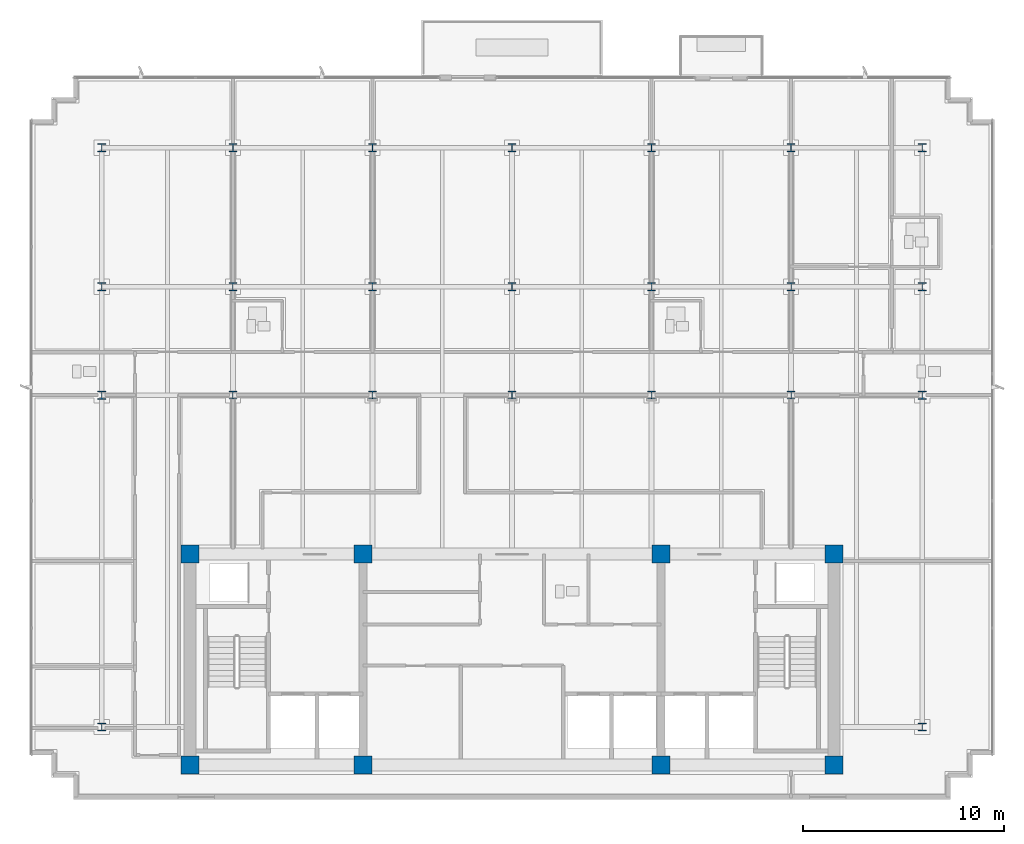
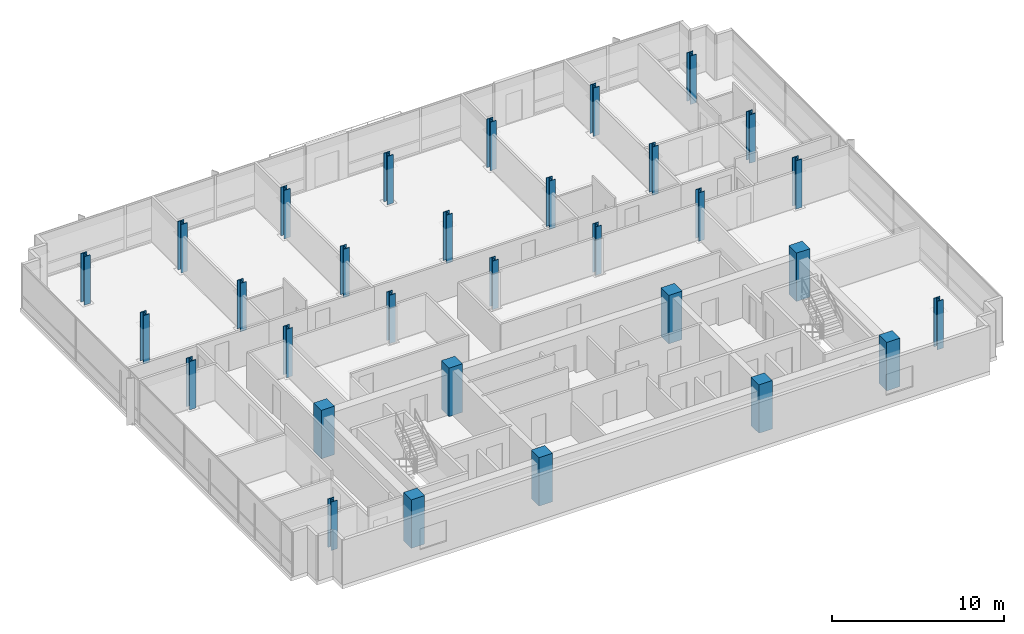
# One storey, part 1 of 19: 31 columns.
"""IFC4 building model written with IfcOpenShell, lengths in metres."""

import ifcopenshell
import ifcopenshell.guid

model = None  # the IFC model being written
_history = None  # IfcOwnerHistory: only IFC2X3 demands one
_inside = {}  # id of a spatial element -> (the spatial element, [elements in it])
_under = {}  # id of a project, library or spatial element -> (it, [spatial elements below it])
_declared = {}  # id of a project -> (the project, [libraries it declares])
_typed = {}  # id of a type object -> (the type object, [elements of that type])
_made_of = {}  # id of a material, layer set ... -> (it, [elements and type objects made of it])


def new_model(schema):
    """Start an empty IFC model of exactly this schema.

    Asked for "IFC4X3", IfcOpenShell would pick the latest addendum, in which some entities
    have other attributes; the version numbers below select the first issue.
    IFC2X3 requires an IfcOwnerHistory on every rooted entity: one is made here for all.
    """
    global model, _history
    if schema == "IFC4X3":
        model = ifcopenshell.file(schema_version=(4, 3, 0, 0))
    else:
        model = ifcopenshell.file(schema=schema)
    _inside.clear()
    _under.clear()
    _declared.clear()
    _typed.clear()
    _made_of.clear()
    _history = None
    if model.schema == "IFC2X3":
        org = make("IfcOrganization", Name="unknown")
        user = make(
            "IfcPersonAndOrganization",
            ThePerson=make("IfcPerson", FamilyName="unknown"),
            TheOrganization=org,
        )
        app = make(
            "IfcApplication",
            ApplicationDeveloper=org,
            Version="unknown",
            ApplicationFullName="unknown",
            ApplicationIdentifier="unknown",
        )
        _history = make(
            "IfcOwnerHistory",
            OwningUser=user,
            OwningApplication=app,
            ChangeAction="ADDED",
            CreationDate=0,
        )
    return model


def make(cls, **values):
    """One entity of the class cls with the attributes given. An attribute that is None is left unset."""
    return model.create_entity(
        cls, **{name: value for name, value in values.items() if value is not None}
    )


def rooted(cls, **values):
    """An entity with a GlobalId (a new one), such as an element, a storey or a relation."""
    return make(cls, GlobalId=ifcopenshell.guid.new(), OwnerHistory=_history, **values)


def si_unit(unit_type, name, prefix=None):
    """IfcSIUnit, for example si_unit("LENGTHUNIT", "METRE", prefix="MILLI")."""
    return make("IfcSIUnit", UnitType=unit_type, Prefix=prefix, Name=name)


def assignment(units):
    """IfcUnitAssignment: the units of a project."""
    return None if units is None else make("IfcUnitAssignment", Units=units)


def point(xyz):
    """IfcCartesianPoint."""
    return None if xyz is None else make("IfcCartesianPoint", Coordinates=xyz)


def direction(xyz):
    """IfcDirection."""
    return None if xyz is None else make("IfcDirection", DirectionRatios=xyz)


def frame(location, z_axis=None, x_axis=None):
    """IfcAxis2Placement3D, a coordinate frame: its origin and axes. An axis left out is left unset."""
    return make(
        "IfcAxis2Placement3D",
        Location=point(location),
        Axis=direction(z_axis),
        RefDirection=direction(x_axis),
    )


def frame_2d(location, x_axis=None):
    """IfcAxis2Placement2D, a coordinate frame in the plane: its origin and x axis."""
    return make(
        "IfcAxis2Placement2D", Location=point(location), RefDirection=direction(x_axis)
    )


def origin():
    """The frame at (0, 0, 0) with its axes left unset."""
    return frame((0.0, 0.0, 0.0))


def origin_2d():
    """The frame at (0, 0) in the plane with its x axis left unset."""
    return frame_2d((0.0, 0.0))


def place(relative_to, where):
    """IfcLocalPlacement: puts the frame where relative to a parent placement (None: the world)."""
    return make(
        "IfcLocalPlacement", PlacementRelTo=relative_to, RelativePlacement=where
    )


def context(
    kind, dimensions, precision=None, world=None, true_north=None, identifier=None
):
    """IfcGeometricRepresentationContext, for example the 3D "Model" context."""
    return make(
        "IfcGeometricRepresentationContext",
        ContextIdentifier=identifier,
        ContextType=kind,
        CoordinateSpaceDimension=dimensions,
        Precision=precision,
        WorldCoordinateSystem=world,
        TrueNorth=true_north,
    )


def subcontext(parent, identifier, kind, view, scale=None):
    """IfcGeometricRepresentationSubContext, for example "Body" below "Model"."""
    return make(
        "IfcGeometricRepresentationSubContext",
        ContextIdentifier=identifier,
        ContextType=kind,
        ParentContext=parent,
        TargetScale=scale,
        TargetView=view,
    )


def project(units=None, contexts=None):
    """IfcProject with its units and contexts."""
    return rooted(
        "IfcProject",
        Name="project",
        RepresentationContexts=contexts,
        UnitsInContext=assignment(units),
    )


def spatial(cls, under=None, at=None, **own):
    """A site, building, storey or space (cls), placed at a placement, below another one or the project."""
    s = rooted(cls, ObjectPlacement=at, **own)
    if under is not None:
        _under.setdefault(under.id(), (under, []))[1].append(s)
    return s


def profile(cls, at=None, kind="AREA", **sizes):
    """A parametric profile (cls). Its sizes go by their IFC names, for example OverallWidth=200.0."""
    return make(cls, ProfileType=kind, Position=at, **sizes)


def rectangle(**sizes):
    """IfcRectangleProfileDef."""
    return profile("IfcRectangleProfileDef", **sizes)


def i_section(**sizes):
    """IfcIShapeProfileDef."""
    return profile("IfcIShapeProfileDef", **sizes)


def extrude(swept, where, along, depth):
    """IfcExtrudedAreaSolid: the profile swept, set in the frame where, extruded along a direction by depth."""
    return make(
        "IfcExtrudedAreaSolid",
        SweptArea=swept,
        Position=where,
        ExtrudedDirection=direction(along),
        Depth=depth,
    )


def shape(context_of_items, identifier, shape_type, items):
    """IfcShapeRepresentation: the items that make up one representation, for example the "Body"."""
    return make(
        "IfcShapeRepresentation",
        ContextOfItems=context_of_items,
        RepresentationIdentifier=identifier,
        RepresentationType=shape_type,
        Items=items,
    )


def material(Name=None, Category=None):
    """IfcMaterial."""
    return make("IfcMaterial", Name=Name, Category=Category)


def material_profile(
    of_material, cross_section, Name=None, Category=None, Priority=None
):
    """IfcMaterialProfile: a cross section and its material."""
    return make(
        "IfcMaterialProfile",
        Name=Name,
        Material=of_material,
        Profile=cross_section,
        Priority=Priority,
        Category=Category,
    )


def profile_set(profiles, Name=None, composite=None):
    """IfcMaterialProfileSet."""
    return make(
        "IfcMaterialProfileSet",
        Name=Name,
        MaterialProfiles=profiles,
        CompositeProfile=composite,
    )


def made_of(thing, what):
    """Note that an element or type object is made of a material, layer set ...; save() writes the relation."""
    if what is not None:
        _made_of.setdefault(what.id(), (what, []))[1].append(thing)
    return thing


def type_object(cls, material=None, **own):
    """A type object (cls), such as IfcWallType, which elements share."""
    return made_of(rooted(cls, **own), material)


def element(
    cls,
    number,
    at=None,
    inside=None,
    cuts=None,
    type_object=None,
    material=None,
    context=None,
    identifier="Body",
    shape_type=None,
    held_by="IfcProductDefinitionShape",
    body=None,
    shapes=None,
    **own,
):
    """One element of the class cls, such as IfcWall. Its Tag is "e" and its number.

    at: its placement. inside: the storey or other place that contains it. cuts: it is an
    opening in that element (IfcRelVoidsElement). A single representation is given by context,
    identifier, shape_type and body (its items); several are given by shapes. held_by: the class
    of the entity that holds the representations. save() writes the other relations.
    """
    e = rooted(cls, Tag="e%d" % number, ObjectPlacement=at, **own)
    if body is not None:
        shapes = [shape(context, identifier, shape_type, body)]
    if shapes is not None:
        e.Representation = make(held_by, Representations=shapes)
    if inside is not None:
        _inside.setdefault(inside.id(), (inside, []))[1].append(e)
    if cuts is not None:
        rooted(
            "IfcRelVoidsElement", RelatingBuildingElement=cuts, RelatedOpeningElement=e
        )
    if type_object is not None:
        _typed.setdefault(type_object.id(), (type_object, []))[1].append(e)
    return made_of(e, material)


def aggregate(whole, parts):
    """IfcRelAggregates: a whole, such as a stair, and the parts it consists of."""
    return rooted("IfcRelAggregates", RelatingObject=whole, RelatedObjects=parts)


def save(model, path):
    """Write the relations noted so far, then the file.

    IfcRelAggregates (storeys below a building ...), IfcRelContainedInSpatialStructure (elements
    in a storey), IfcRelDefinesByType, IfcRelAssociatesMaterial and IfcRelDeclares: one each for
    every whole, place, type object, material and project.
    """
    for whole, parts in _under.values():
        aggregate(whole, parts)
    for where, things in _inside.values():
        rooted(
            "IfcRelContainedInSpatialStructure",
            RelatedElements=things,
            RelatingStructure=where,
        )
    for kind, things in _typed.values():
        rooted("IfcRelDefinesByType", RelatedObjects=things, RelatingType=kind)
    for what, things in _made_of.values():
        rooted("IfcRelAssociatesMaterial", RelatedObjects=things, RelatingMaterial=what)
    for by, libraries in _declared.values():
        rooted("IfcRelDeclares", RelatingContext=by, RelatedDefinitions=libraries)
    model.write(path)


model = new_model("IFC4")

# Units and contexts
model_context = context("Model", 3, precision=1e-05, world=origin(), true_north=direction((0.0, 1.0)))
body_context = subcontext(model_context, "Body", "Model", "MODEL_VIEW")
ifc_project = project(units=[si_unit("LENGTHUNIT", "METRE"), si_unit("AREAUNIT", "SQUARE_METRE"), si_unit("VOLUMEUNIT", "CUBIC_METRE"), si_unit("PLANEANGLEUNIT", "RADIAN"), si_unit("MASSUNIT", "GRAM", prefix="KILO")], contexts=[model_context])

# Site, building, storey
site_placement = place(None, origin())
site = spatial("IfcSite", under=ifc_project, at=site_placement, CompositionType="ELEMENT")
building_placement = place(site_placement, origin())
building = spatial("IfcBuilding", under=site, at=building_placement, Name="Solmavex Isthmus Hotel", CompositionType="ELEMENT")
storey_placement = place(building_placement, frame((0.0, 0.0, 262.64990234375)))
storey = spatial("IfcBuildingStorey", under=building, at=storey_placement, Name="L71", CompositionType="ELEMENT", Elevation=262.64990234375)

# Columns
ifc_material_1 = material(Name="Concrete C50/60", Category="concrete")
ifc_material_profile_1 = material_profile(ifc_material_1, rectangle(XDim=0.89990234375, YDim=0.89990234375, at=origin_2d()), Name="RC900X900")
ifc_profile_set_1 = profile_set([ifc_material_profile_1], Name="Concrete C50/60")
column_type_1 = type_object("IfcColumnType", Name="COL-CC-900", PredefinedType="COLUMN", material=ifc_profile_set_1)
for number, where, z_axis, x_axis, name in (
    (1, (-16.0, -13.0, 0.0), (0.0, 0.0, 1.0), (1.0, 0.0, 0.0), "Core Pilaster CC-SW L71"),
    (2, (-7.39990234375, -13.0, 0.0), (0.0, 0.0, 1.0), (1.0, 0.0, 0.0), "Core Pilaster CC-S1 L71"),
    (3, (7.39990234375, -13.0, 0.0), (0.0, 0.0, 1.0), (1.0, 0.0, 0.0), "Core Pilaster CC-S2 L71"),
    (4, (16.0, -13.0, 0.0), (0.0, 0.0, 1.0), (1.0, 0.0, 0.0), "Core Pilaster CC-SE L71"),
    (5, (-16.0, -2.5, 0.0), (0.0, 0.0, 1.0), (1.0, 0.0, 0.0), "Core Pilaster CC-NW L71"),
    (6, (-7.39990234375, -2.5, 0.0), (0.0, 0.0, 1.0), (1.0, 0.0, 0.0), "Core Pilaster CC-N1 L71"),
    (7, (7.39990234375, -2.5, 0.0), (0.0, 0.0, 1.0), (1.0, 0.0, 0.0), "Core Pilaster CC-N2 L71"),
    (8, (16.0, -2.5, 0.0), (0.0, 0.0, 1.0), (1.0, 0.0, 0.0), "Core Pilaster CC-NE L71"),
):
    element("IfcColumn", number, at=place(storey_placement, frame(where, z_axis=z_axis, x_axis=x_axis)), inside=storey, type_object=column_type_1, Name=name, PredefinedType="COLUMN", context=body_context, shape_type="SweptSolid", body=[
        extrude(rectangle(XDim=0.89990234375, YDim=0.89990234375, at=origin_2d()), origin(), (0.0, 0.0, 1.0), 3.4501953125),
    ])
ifc_material_2 = material(Name="Steel ASTM A913 Grade 65", Category="steel")
ifc_material_profile_2 = material_profile(ifc_material_2, i_section(OverallWidth=0.4013671875, OverallDepth=0.3994140625, WebThickness=0.02490234375, FlangeThickness=0.03955078125, FilletRadius=0.030517578125, at=origin_2d()), Name="W14X211")
ifc_profile_set_2 = profile_set([ifc_material_profile_2], Name="Steel ASTM A913 Grade 65")
column_type_2 = type_object("IfcColumnType", Name="COL-SC-W14X211", PredefinedType="COLUMN", material=ifc_profile_set_2)
for number, where, z_axis, x_axis, name in (
    (9, (-13.8720703125, 5.39990234375, 0.0), (0.0, 0.0, 1.0), (1.0, 0.0, 0.0), "Tower Column B5-U2V2 L71"),
    (10, (-13.8720703125, 10.7880859375, 0.0), (0.0, 0.0, 1.0), (1.0, 0.0, 0.0), "Tower Column B5-U2V3 L71"),
    (11, (-6.93603515625, 5.39990234375, 0.0), (0.0, 0.0, 1.0), (1.0, 0.0, 0.0), "Tower Column B5-U3V2 L71"),
    (12, (-6.93603515625, 10.7880859375, 0.0), (0.0, 0.0, 1.0), (1.0, 0.0, 0.0), "Tower Column B5-U3V3 L71"),
    (13, (0.0, 5.39990234375, 0.0), (0.0, 0.0, 1.0), (1.0, 0.0, 0.0), "Tower Column B5-U4V2 L71"),
    (14, (0.0, 10.7880859375, 0.0), (0.0, 0.0, 1.0), (1.0, 0.0, 0.0), "Tower Column B5-U4V3 L71"),
    (15, (6.93603515625, 5.39990234375, 0.0), (0.0, 0.0, 1.0), (1.0, 0.0, 0.0), "Tower Column B5-U5V2 L71"),
    (16, (6.93603515625, 10.7880859375, 0.0), (0.0, 0.0, 1.0), (1.0, 0.0, 0.0), "Tower Column B5-U5V3 L71"),
    (17, (13.8720703125, 5.39990234375, 0.0), (0.0, 0.0, 1.0), (1.0, 0.0, 0.0), "Tower Column B5-U6V2 L71"),
    (18, (13.8720703125, 10.7880859375, 0.0), (0.0, 0.0, 1.0), (1.0, 0.0, 0.0), "Tower Column B5-U6V3 L71"),
):
    element("IfcColumn", number, at=place(storey_placement, frame(where, z_axis=z_axis, x_axis=x_axis)), inside=storey, type_object=column_type_2, Name=name, PredefinedType="COLUMN", context=body_context, shape_type="SweptSolid", body=[
        extrude(i_section(OverallWidth=0.4013671875, OverallDepth=0.3994140625, WebThickness=0.02490234375, FlangeThickness=0.03955078125, FilletRadius=0.030517578125, at=origin_2d()), origin(), (0.0, 0.0, 1.0), 3.4501953125),
    ])
ifc_material_profile_3 = material_profile(ifc_material_2, i_section(OverallWidth=0.40625, OverallDepth=0.416015625, WebThickness=0.02978515625, FlangeThickness=0.048095703125, FilletRadius=0.030517578125, at=origin_2d()), Name="W14X257")
ifc_profile_set_3 = profile_set([ifc_material_profile_3], Name="Steel ASTM A913 Grade 65")
column_type_3 = type_object("IfcColumnType", Name="COL-SC-W14X257", PredefinedType="COLUMN", material=ifc_profile_set_3)
for number, where, z_axis, x_axis, name in (
    (19, (-20.39990234375, -11.10009765625, 0.0), (0.0, 0.0, 1.0), (1.0, 0.0, 0.0), "Tower Column B5-U1V1 L71"),
    (20, (-20.39990234375, 5.39990234375, 0.0), (0.0, 0.0, 1.0), (1.0, 0.0, 0.0), "Tower Column B5-U1V2 L71"),
    (21, (-20.39990234375, 10.7880859375, 0.0), (0.0, 0.0, 1.0), (1.0, 0.0, 0.0), "Tower Column B5-U1V3 L71"),
    (22, (-20.39990234375, 17.699951171875, 0.0), (0.0, 0.0, 1.0), (1.0, 0.0, 0.0), "Tower Column B5-U1V4 L71"),
    (23, (-13.8720703125, 17.699951171875, 0.0), (0.0, 0.0, 1.0), (1.0, 0.0, 0.0), "Tower Column B5-U2V4 L71"),
    (24, (-6.93603515625, 17.699951171875, 0.0), (0.0, 0.0, 1.0), (1.0, 0.0, 0.0), "Tower Column B5-U3V4 L71"),
    (25, (0.0, 17.699951171875, 0.0), (0.0, 0.0, 1.0), (1.0, 0.0, 0.0), "Tower Column B5-U4V4 L71"),
    (26, (6.93603515625, 17.699951171875, 0.0), (0.0, 0.0, 1.0), (1.0, 0.0, 0.0), "Tower Column B5-U5V4 L71"),
    (27, (13.8720703125, 17.699951171875, 0.0), (0.0, 0.0, 1.0), (1.0, 0.0, 0.0), "Tower Column B5-U6V4 L71"),
    (28, (20.39990234375, -11.10009765625, 0.0), (0.0, 0.0, 1.0), (1.0, 0.0, 0.0), "Tower Column B5-U7V1 L71"),
    (29, (20.39990234375, 5.39990234375, 0.0), (0.0, 0.0, 1.0), (1.0, 0.0, 0.0), "Tower Column B5-U7V2 L71"),
    (30, (20.39990234375, 10.7880859375, 0.0), (0.0, 0.0, 1.0), (1.0, 0.0, 0.0), "Tower Column B5-U7V3 L71"),
    (31, (20.39990234375, 17.699951171875, 0.0), (0.0, 0.0, 1.0), (1.0, 0.0, 0.0), "Tower Column B5-U7V4 L71"),
):
    element("IfcColumn", number, at=place(storey_placement, frame(where, z_axis=z_axis, x_axis=x_axis)), inside=storey, type_object=column_type_3, Name=name, PredefinedType="COLUMN", context=body_context, shape_type="SweptSolid", body=[
        extrude(i_section(OverallWidth=0.40625, OverallDepth=0.416015625, WebThickness=0.02978515625, FlangeThickness=0.048095703125, FilletRadius=0.030517578125, at=origin_2d()), origin(), (0.0, 0.0, 1.0), 3.4501953125),
    ])

save(model, "model.ifc")
